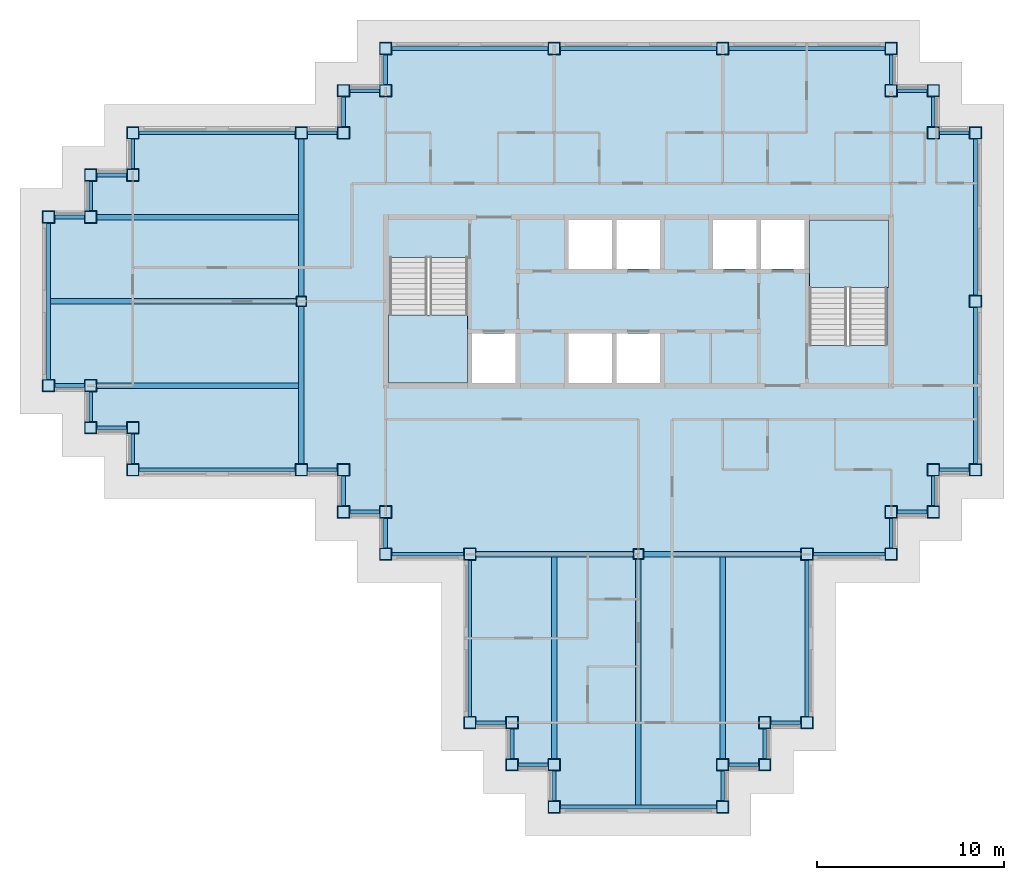
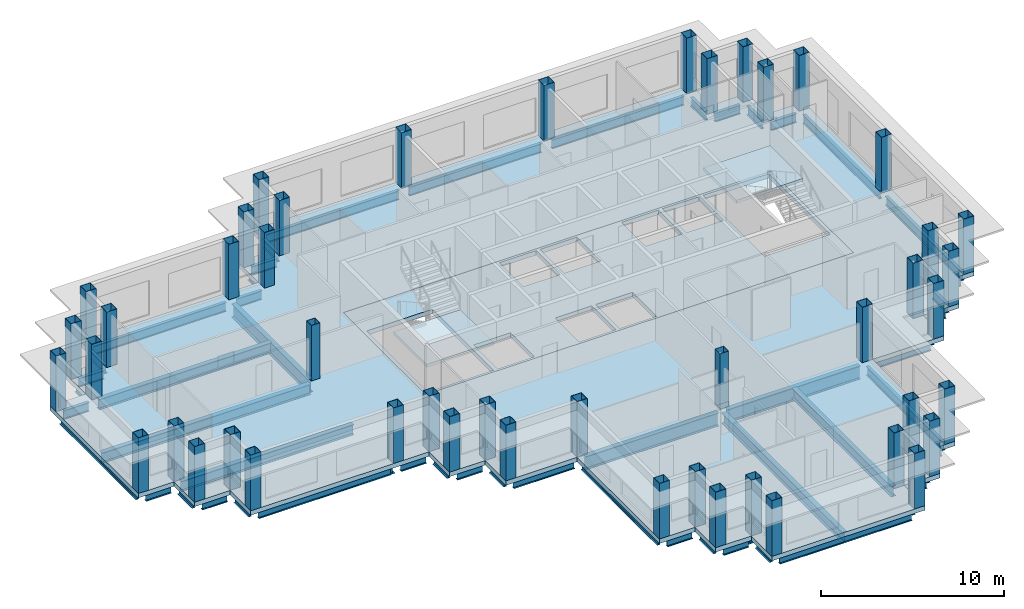
# One storey, part 1 of 11: 55 beams, 47 columns, 4 slabs, 2 elements without a shape of their own.
"""IFC4 building model written with IfcOpenShell, lengths in metres."""

from ifc_helpers import new_model, si_unit, direction, frame, origin, origin_2d, place, context, subcontext, project, spatial, polyline, hollow_rectangle, i_section, outline, extrude, material, layer, layer_set, material_profile, profile_set, type_object, element, aggregate, save


model = new_model("IFC4")

# Units and contexts
model_context = context("Model", 3, precision=1e-05, world=origin(), true_north=direction((0.0, 1.0)))
body_context = subcontext(model_context, "Body", "Model", "MODEL_VIEW")
ifc_project = project(units=[si_unit("LENGTHUNIT", "METRE"), si_unit("AREAUNIT", "SQUARE_METRE"), si_unit("VOLUMEUNIT", "CUBIC_METRE"), si_unit("PLANEANGLEUNIT", "RADIAN"), si_unit("MASSUNIT", "GRAM", prefix="KILO")], contexts=[model_context])

# Site, building, storey
site_placement = place(None, origin())
site = spatial("IfcSite", under=ifc_project, at=site_placement, CompositionType="ELEMENT")
building_placement = place(site_placement, origin())
building = spatial("IfcBuilding", under=site, at=building_placement, Name="Caravel Reach Hotel and Residences", CompositionType="ELEMENT")
storey_placement = place(building_placement, frame((0.0, 0.0, 225.699951171875)))
storey = spatial("IfcBuildingStorey", under=building, at=storey_placement, Name="L57", CompositionType="ELEMENT", Elevation=225.699951171875)

# Columns
ifc_material_1 = material(Name="Concrete-filled steel tube Q390B with Concrete C60 infill", Category="concrete")
ifc_material_profile_1 = material_profile(ifc_material_1, hollow_rectangle(XDim=0.550048828125, YDim=0.550048828125, WallThickness=0.01806640625, at=origin_2d()), Name="RHS 550x550x18")
ifc_profile_set_1 = profile_set([ifc_material_profile_1], Name="Concrete-filled steel tube Q390B with Concrete C60 infill")
column_type_1 = type_object("IfcColumnType", Name="CFT 550x550 Q390B C60", PredefinedType="COLUMN", material=ifc_profile_set_1)
for number, where, z_axis, x_axis, name in (
    (1, (31.5, 13.5, 0.0), (0.0, 0.0, 1.0), (1.0, 0.0, 0.0), "C18 column"),
    (2, (13.5, 27.0, 0.0), (0.0, 0.0, 1.0), (1.0, 0.0, 0.0), "C18 column"),
):
    element("IfcColumn", number, at=place(storey_placement, frame(where, z_axis=z_axis, x_axis=x_axis)), inside=storey, type_object=column_type_1, Name=name, PredefinedType="COLUMN", context=body_context, shape_type="SweptSolid", body=[
        extrude(hollow_rectangle(XDim=0.550048828125, YDim=0.550048828125, WallThickness=0.01806640625, at=origin_2d()), origin(), (0.0, 0.0, 1.0), 3.699951171875),
    ])
ifc_material_2 = material(Name="Concrete-filled steel tube Q390B with Concrete C60 infill", Category="concrete")
ifc_material_profile_2 = material_profile(ifc_material_2, hollow_rectangle(XDim=0.64990234375, YDim=0.64990234375, WallThickness=0.02099609375, at=origin_2d()), Name="RHS 650x650x21")
ifc_profile_set_2 = profile_set([ifc_material_profile_2], Name="Concrete-filled steel tube Q390B with Concrete C60 infill")
column_type_2 = type_object("IfcColumnType", Name="CFT 650x650 Q390B C60", PredefinedType="COLUMN", material=ifc_profile_set_2)
for number, where, z_axis, x_axis, name in (
    (3, (40.5, 13.5, 0.0), (0.0, 0.0, 1.0), (1.0, 0.0, 0.0), "C15 column"),
    (4, (45.0, 13.5, 0.0), (0.0, 0.0, 1.0), (1.0, 0.0, 0.0), "C15 column"),
    (5, (45.0, 15.75, 0.0), (0.0, 0.0, 1.0), (1.0, 0.0, 0.0), "C15 column"),
    (6, (47.25, 15.75, 0.0), (0.0, 0.0, 1.0), (1.0, 0.0, 0.0), "C15 column"),
    (7, (47.25, 18.0, 0.0), (0.0, 0.0, 1.0), (1.0, 0.0, 0.0), "C15 column"),
    (8, (49.5, 18.0, 0.0), (0.0, 0.0, 1.0), (1.0, 0.0, 0.0), "C15 column"),
    (9, (49.5, 27.0, 0.0), (0.0, 0.0, 1.0), (1.0, 0.0, 0.0), "C15 column"),
    (10, (49.5, 36.0, 0.0), (0.0, 0.0, 1.0), (1.0, 0.0, 0.0), "C15 column"),
    (11, (47.25, 36.0, 0.0), (0.0, 0.0, 1.0), (1.0, 0.0, 0.0), "C15 column"),
    (12, (47.25, 38.25, 0.0), (0.0, 0.0, 1.0), (1.0, 0.0, 0.0), "C15 column"),
    (13, (45.0, 38.25, 0.0), (0.0, 0.0, 1.0), (1.0, 0.0, 0.0), "C15 column"),
    (14, (45.0, 40.5, 0.0), (0.0, 0.0, 1.0), (1.0, 0.0, 0.0), "C15 column"),
    (15, (36.0, 40.5, 0.0), (0.0, 0.0, 1.0), (1.0, 0.0, 0.0), "C15 column"),
    (16, (27.0, 40.5, 0.0), (0.0, 0.0, 1.0), (1.0, 0.0, 0.0), "C15 column"),
    (17, (18.0, 40.5, 0.0), (0.0, 0.0, 1.0), (1.0, 0.0, 0.0), "C15 column"),
    (18, (18.0, 38.25, 0.0), (0.0, 0.0, 1.0), (1.0, 0.0, 0.0), "C15 column"),
    (19, (15.75, 38.25, 0.0), (0.0, 0.0, 1.0), (1.0, 0.0, 0.0), "C15 column"),
    (20, (15.75, 36.0, 0.0), (0.0, 0.0, 1.0), (1.0, 0.0, 0.0), "C15 column"),
    (21, (13.5, 36.0, 0.0), (0.0, 0.0, 1.0), (1.0, 0.0, 0.0), "C15 column"),
    (22, (4.5, 36.0, 0.0), (0.0, 0.0, 1.0), (1.0, 0.0, 0.0), "C15 column"),
    (23, (4.5, 33.75, 0.0), (0.0, 0.0, 1.0), (1.0, 0.0, 0.0), "C15 column"),
    (24, (2.25, 33.75, 0.0), (0.0, 0.0, 1.0), (1.0, 0.0, 0.0), "C15 column"),
    (25, (2.25, 31.5, 0.0), (0.0, 0.0, 1.0), (1.0, 0.0, 0.0), "C15 column"),
    (26, (0.0, 31.5, 0.0), (0.0, 0.0, 1.0), (1.0, 0.0, 0.0), "C15 column"),
    (27, (0.0, 22.5, 0.0), (0.0, 0.0, 1.0), (1.0, 0.0, 0.0), "C15 column"),
    (28, (2.25, 22.5, 0.0), (0.0, 0.0, 1.0), (1.0, 0.0, 0.0), "C15 column"),
    (29, (2.25, 20.25, 0.0), (0.0, 0.0, 1.0), (1.0, 0.0, 0.0), "C15 column"),
    (30, (4.5, 20.25, 0.0), (0.0, 0.0, 1.0), (1.0, 0.0, 0.0), "C15 column"),
    (31, (4.5, 18.0, 0.0), (0.0, 0.0, 1.0), (1.0, 0.0, 0.0), "C15 column"),
    (32, (13.5, 18.0, 0.0), (0.0, 0.0, 1.0), (1.0, 0.0, 0.0), "C15 column"),
    (33, (15.75, 18.0, 0.0), (0.0, 0.0, 1.0), (1.0, 0.0, 0.0), "C15 column"),
    (34, (15.75, 15.75, 0.0), (0.0, 0.0, 1.0), (1.0, 0.0, 0.0), "C15 column"),
    (35, (18.0, 15.75, 0.0), (0.0, 0.0, 1.0), (1.0, 0.0, 0.0), "C15 column"),
    (36, (18.0, 13.5, 0.0), (0.0, 0.0, 1.0), (1.0, 0.0, 0.0), "C15 column"),
    (37, (22.5, 13.5, 0.0), (0.0, 0.0, 1.0), (1.0, 0.0, 0.0), "C15 column"),
    (38, (22.5, 4.5, 0.0), (0.0, 0.0, 1.0), (1.0, 0.0, 0.0), "C15 column"),
    (39, (24.75, 4.5, 0.0), (0.0, 0.0, 1.0), (1.0, 0.0, 0.0), "C15 column"),
    (40, (24.75, 2.25, 0.0), (0.0, 0.0, 1.0), (1.0, 0.0, 0.0), "C15 column"),
    (41, (27.0, 2.25, 0.0), (0.0, 0.0, 1.0), (1.0, 0.0, 0.0), "C15 column"),
    (42, (27.0, 0.0, 0.0), (0.0, 0.0, 1.0), (1.0, 0.0, 0.0), "C15 column"),
    (43, (36.0, 0.0, 0.0), (0.0, 0.0, 1.0), (1.0, 0.0, 0.0), "C15 column"),
    (44, (36.0, 2.25, 0.0), (0.0, 0.0, 1.0), (1.0, 0.0, 0.0), "C15 column"),
    (45, (38.25, 2.25, 0.0), (0.0, 0.0, 1.0), (1.0, 0.0, 0.0), "C15 column"),
    (46, (38.25, 4.5, 0.0), (0.0, 0.0, 1.0), (1.0, 0.0, 0.0), "C15 column"),
    (47, (40.5, 4.5, 0.0), (0.0, 0.0, 1.0), (1.0, 0.0, 0.0), "C15 column"),
):
    element("IfcColumn", number, at=place(storey_placement, frame(where, z_axis=z_axis, x_axis=x_axis)), inside=storey, type_object=column_type_2, Name=name, PredefinedType="COLUMN", context=body_context, shape_type="SweptSolid", body=[
        extrude(hollow_rectangle(XDim=0.64990234375, YDim=0.64990234375, WallThickness=0.02099609375, at=origin_2d()), origin(), (0.0, 0.0, 1.0), 3.699951171875),
    ])

# Beams
ifc_material_3 = material(Name="Structural steel Q355B", Category="steel")
ifc_material_profile_3 = material_profile(ifc_material_3, i_section(OverallWidth=0.300048828125, OverallDepth=0.699951171875, WebThickness=0.012939453125, FlangeThickness=0.02392578125, FilletRadius=0.01806640625, at=origin_2d()), Name="HN 700x300x13x24")
ifc_profile_set_3 = profile_set([ifc_material_profile_3], Name="Structural steel Q355B")
beam_type_1 = type_object("IfcBeamType", Name="Beam HN 700x300x13x24", PredefinedType="BEAM", material=ifc_profile_set_3)
beam_1_placement = place(storey_placement, frame((27.0, 13.39990234375, -0.64990234375), z_axis=(0.0, -1.0, 0.0), x_axis=(1.0, 0.0, 0.0)))
element("IfcBeam", 48, at=beam_1_placement, inside=storey, type_object=beam_type_1, Name="B2 HN 700x300x13x24", PredefinedType="BEAM", context=body_context, shape_type="SweptSolid", body=[
    extrude(i_section(OverallWidth=0.300048828125, OverallDepth=0.699951171875, WebThickness=0.012939453125, FlangeThickness=0.02392578125, FilletRadius=0.01806640625, at=origin_2d()), origin(), (0.0, 0.0, 1.0), 10.875),
])
beam_2_placement = place(storey_placement, frame((31.5, 13.27490234375, -0.64990234375), z_axis=(0.0, -1.0, 0.0), x_axis=(1.0, 0.0, 0.0)))
element("IfcBeam", 49, at=beam_2_placement, inside=storey, type_object=beam_type_1, Name="B2 HN 700x300x13x24", PredefinedType="BEAM", context=body_context, shape_type="SweptSolid", body=[
    extrude(i_section(OverallWidth=0.300048828125, OverallDepth=0.699951171875, WebThickness=0.012939453125, FlangeThickness=0.02392578125, FilletRadius=0.01806640625, at=origin_2d()), origin(), (0.0, 0.0, 1.0), 13.1748046875),
])
for number, where, z_axis, x_axis, name in (
    (50, (36.0, 13.39990234375, -0.64990234375), (0.0, -1.0, 0.0), (1.0, 0.0, 0.0), "B2 HN 700x300x13x24"),
    (51, (13.39990234375, 22.5, -0.64990234375), (-1.0, 0.0, 0.0), (0.0, -1.0, 0.0), "B2 HN 700x300x13x24"),
):
    element("IfcBeam", number, at=place(storey_placement, frame(where, z_axis=z_axis, x_axis=x_axis)), inside=storey, type_object=beam_type_1, Name=name, PredefinedType="BEAM", context=body_context, shape_type="SweptSolid", body=[
        extrude(i_section(OverallWidth=0.300048828125, OverallDepth=0.699951171875, WebThickness=0.012939453125, FlangeThickness=0.02392578125, FilletRadius=0.01806640625, at=origin_2d()), origin(), (0.0, 0.0, 1.0), 10.875),
    ])
beam_3_placement = place(storey_placement, frame((13.27490234375, 27.0, -0.64990234375), z_axis=(-1.0, 0.0, 0.0), x_axis=(0.0, -1.0, 0.0)))
element("IfcBeam", 52, at=beam_3_placement, inside=storey, type_object=beam_type_1, Name="B2 HN 700x300x13x24", PredefinedType="BEAM", context=body_context, shape_type="SweptSolid", body=[
    extrude(i_section(OverallWidth=0.300048828125, OverallDepth=0.699951171875, WebThickness=0.012939453125, FlangeThickness=0.02392578125, FilletRadius=0.01806640625, at=origin_2d()), origin(), (0.0, 0.0, 1.0), 13.1748046875),
])
beam_4_placement = place(storey_placement, frame((13.39990234375, 31.5, -0.64990234375), z_axis=(-1.0, 0.0, 0.0), x_axis=(0.0, -1.0, 0.0)))
element("IfcBeam", 53, at=beam_4_placement, inside=storey, type_object=beam_type_1, Name="B2 HN 700x300x13x24", PredefinedType="BEAM", context=body_context, shape_type="SweptSolid", body=[
    extrude(i_section(OverallWidth=0.300048828125, OverallDepth=0.699951171875, WebThickness=0.012939453125, FlangeThickness=0.02392578125, FilletRadius=0.01806640625, at=origin_2d()), origin(), (0.0, 0.0, 1.0), 10.875),
])
ifc_material_4 = material(Name="Structural steel Q355B", Category="steel")
ifc_material_profile_4 = material_profile(ifc_material_4, i_section(OverallWidth=0.300048828125, OverallDepth=0.89990234375, WebThickness=0.01611328125, FlangeThickness=0.028076171875, FilletRadius=0.01806640625, at=origin_2d()), Name="HN 900x300x16x28")
ifc_profile_set_4 = profile_set([ifc_material_profile_4], Name="Structural steel Q355B")
beam_type_2 = type_object("IfcBeamType", Name="Beam HN 900x300x16x28", PredefinedType="BEAM", material=ifc_profile_set_4)
for number, where, z_axis, x_axis, name in (
    (54, (22.824951171875, 13.5, -0.75), (1.0, 0.0, 0.0), (0.0, 1.0, 0.0), "B3 HN 900x300x16x28"),
    (55, (31.77490234375, 13.5, -0.75), (1.0, 0.0, 0.0), (0.0, 1.0, 0.0), "B3 HN 900x300x16x28"),
    (56, (13.5, 18.324951171875, -0.75), (0.0, 1.0, 0.0), (-1.0, 0.0, 0.0), "B3 HN 900x300x16x28"),
    (57, (13.5, 27.27490234375, -0.75), (0.0, 1.0, 0.0), (-1.0, 0.0, 0.0), "B3 HN 900x300x16x28"),
):
    element("IfcBeam", number, at=place(storey_placement, frame(where, z_axis=z_axis, x_axis=x_axis)), inside=storey, type_object=beam_type_2, Name=name, PredefinedType="BEAM", context=body_context, shape_type="SweptSolid", body=[
        extrude(i_section(OverallWidth=0.300048828125, OverallDepth=0.89990234375, WebThickness=0.01611328125, FlangeThickness=0.028076171875, FilletRadius=0.01806640625, at=origin_2d()), origin(), (0.0, 0.0, 1.0), 8.400146484375),
    ])
ifc_material_5 = material(Name="Structural steel Q355B", Category="steel")
ifc_material_profile_5 = material_profile(ifc_material_5, i_section(OverallWidth=0.199951171875, OverallDepth=0.60009765625, WebThickness=0.010986328125, FlangeThickness=0.01708984375, FilletRadius=0.012939453125, at=origin_2d()), Name="HN 600x200x11x17")
ifc_profile_set_5 = profile_set([ifc_material_profile_5], Name="Structural steel Q355B")
beam_type_3 = type_object("IfcBeamType", Name="Spandrel beam HN 600x200x11x17", PredefinedType="SPANDREL", material=ifc_profile_set_5)
beam_5_placement = place(storey_placement, frame((40.824951171875, 13.5, -0.599853515625), z_axis=(1.0, 0.0, 0.0), x_axis=(0.0, 1.0, 0.0)))
element("IfcBeam", 58, at=beam_5_placement, inside=storey, type_object=beam_type_3, Name="SP1 HN 600x200x11x17", PredefinedType="SPANDREL", context=body_context, shape_type="SweptSolid", body=[
    extrude(i_section(OverallWidth=0.199951171875, OverallDepth=0.60009765625, WebThickness=0.010986328125, FlangeThickness=0.01708984375, FilletRadius=0.012939453125, at=origin_2d()), origin(), (0.0, 0.0, 1.0), 3.85009765625),
])
for number, where, z_axis, x_axis, name in (
    (59, (45.0, 13.824951171875, -0.599853515625), (0.0, 1.0, 0.0), (-1.0, 0.0, 0.0), "SP1 HN 600x200x11x17"),
    (60, (45.324951171875, 15.75, -0.599853515625), (1.0, 0.0, 0.0), (0.0, 1.0, 0.0), "SP1 HN 600x200x11x17"),
    (61, (47.25, 16.074951171875, -0.599853515625), (0.0, 1.0, 0.0), (-1.0, 0.0, 0.0), "SP1 HN 600x200x11x17"),
    (62, (47.574951171875, 18.0, -0.599853515625), (1.0, 0.0, 0.0), (0.0, 1.0, 0.0), "SP1 HN 600x200x11x17"),
):
    element("IfcBeam", number, at=place(storey_placement, frame(where, z_axis=z_axis, x_axis=x_axis)), inside=storey, type_object=beam_type_3, Name=name, PredefinedType="SPANDREL", context=body_context, shape_type="SweptSolid", body=[
        extrude(i_section(OverallWidth=0.199951171875, OverallDepth=0.60009765625, WebThickness=0.010986328125, FlangeThickness=0.01708984375, FilletRadius=0.012939453125, at=origin_2d()), origin(), (0.0, 0.0, 1.0), 1.60009765625),
    ])
for number, where, z_axis, x_axis, name in (
    (63, (49.5, 18.324951171875, -0.599853515625), (0.0, 1.0, 0.0), (-1.0, 0.0, 0.0), "SP1 HN 600x200x11x17"),
    (64, (49.5, 27.324951171875, -0.599853515625), (0.0, 1.0, 0.0), (-1.0, 0.0, 0.0), "SP1 HN 600x200x11x17"),
):
    element("IfcBeam", number, at=place(storey_placement, frame(where, z_axis=z_axis, x_axis=x_axis)), inside=storey, type_object=beam_type_3, Name=name, PredefinedType="SPANDREL", context=body_context, shape_type="SweptSolid", body=[
        extrude(i_section(OverallWidth=0.199951171875, OverallDepth=0.60009765625, WebThickness=0.010986328125, FlangeThickness=0.01708984375, FilletRadius=0.012939453125, at=origin_2d()), origin(), (0.0, 0.0, 1.0), 8.35009765625),
    ])
for number, where, z_axis, x_axis, name in (
    (65, (49.175048828125, 36.0, -0.599853515625), (-1.0, 0.0, 0.0), (0.0, -1.0, 0.0), "SP1 HN 600x200x11x17"),
    (66, (47.25, 36.324951171875, -0.599853515625), (0.0, 1.0, 0.0), (-1.0, 0.0, 0.0), "SP1 HN 600x200x11x17"),
    (67, (46.925048828125, 38.25, -0.599853515625), (-1.0, 0.0, 0.0), (0.0, -1.0, 0.0), "SP1 HN 600x200x11x17"),
    (68, (45.0, 38.574951171875, -0.599853515625), (0.0, 1.0, 0.0), (-1.0, 0.0, 0.0), "SP1 HN 600x200x11x17"),
):
    element("IfcBeam", number, at=place(storey_placement, frame(where, z_axis=z_axis, x_axis=x_axis)), inside=storey, type_object=beam_type_3, Name=name, PredefinedType="SPANDREL", context=body_context, shape_type="SweptSolid", body=[
        extrude(i_section(OverallWidth=0.199951171875, OverallDepth=0.60009765625, WebThickness=0.010986328125, FlangeThickness=0.01708984375, FilletRadius=0.012939453125, at=origin_2d()), origin(), (0.0, 0.0, 1.0), 1.60009765625),
    ])
for number, where, z_axis, x_axis, name in (
    (69, (44.675048828125, 40.5, -0.599853515625), (-1.0, 0.0, 0.0), (0.0, -1.0, 0.0), "SP1 HN 600x200x11x17"),
    (70, (35.675048828125, 40.5, -0.599853515625), (-1.0, 0.0, 0.0), (0.0, -1.0, 0.0), "SP1 HN 600x200x11x17"),
    (71, (26.675048828125, 40.5, -0.599853515625), (-1.0, 0.0, 0.0), (0.0, -1.0, 0.0), "SP1 HN 600x200x11x17"),
):
    element("IfcBeam", number, at=place(storey_placement, frame(where, z_axis=z_axis, x_axis=x_axis)), inside=storey, type_object=beam_type_3, Name=name, PredefinedType="SPANDREL", context=body_context, shape_type="SweptSolid", body=[
        extrude(i_section(OverallWidth=0.199951171875, OverallDepth=0.60009765625, WebThickness=0.010986328125, FlangeThickness=0.01708984375, FilletRadius=0.012939453125, at=origin_2d()), origin(), (0.0, 0.0, 1.0), 8.35009765625),
    ])
for number, where, z_axis, x_axis, name in (
    (72, (18.0, 40.175048828125, -0.599853515625), (0.0, -1.0, 0.0), (1.0, 0.0, 0.0), "SP1 HN 600x200x11x17"),
    (73, (17.675048828125, 38.25, -0.599853515625), (-1.0, 0.0, 0.0), (0.0, -1.0, 0.0), "SP1 HN 600x200x11x17"),
    (74, (15.75, 37.925048828125, -0.599853515625), (0.0, -1.0, 0.0), (1.0, 0.0, 0.0), "SP1 HN 600x200x11x17"),
    (75, (15.425048828125, 36.0, -0.599853515625), (-1.0, 0.0, 0.0), (0.0, -1.0, 0.0), "SP1 HN 600x200x11x17"),
):
    element("IfcBeam", number, at=place(storey_placement, frame(where, z_axis=z_axis, x_axis=x_axis)), inside=storey, type_object=beam_type_3, Name=name, PredefinedType="SPANDREL", context=body_context, shape_type="SweptSolid", body=[
        extrude(i_section(OverallWidth=0.199951171875, OverallDepth=0.60009765625, WebThickness=0.010986328125, FlangeThickness=0.01708984375, FilletRadius=0.012939453125, at=origin_2d()), origin(), (0.0, 0.0, 1.0), 1.60009765625),
    ])
beam_6_placement = place(storey_placement, frame((13.175048828125, 36.0, -0.599853515625), z_axis=(-1.0, 0.0, 0.0), x_axis=(0.0, -1.0, 0.0)))
element("IfcBeam", 76, at=beam_6_placement, inside=storey, type_object=beam_type_3, Name="SP1 HN 600x200x11x17", PredefinedType="SPANDREL", context=body_context, shape_type="SweptSolid", body=[
    extrude(i_section(OverallWidth=0.199951171875, OverallDepth=0.60009765625, WebThickness=0.010986328125, FlangeThickness=0.01708984375, FilletRadius=0.012939453125, at=origin_2d()), origin(), (0.0, 0.0, 1.0), 8.35009765625),
])
for number, where, z_axis, x_axis, name in (
    (77, (4.5, 35.675048828125, -0.599853515625), (0.0, -1.0, 0.0), (1.0, 0.0, 0.0), "SP1 HN 600x200x11x17"),
    (78, (4.175048828125, 33.75, -0.599853515625), (-1.0, 0.0, 0.0), (0.0, -1.0, 0.0), "SP1 HN 600x200x11x17"),
    (79, (2.25, 33.425048828125, -0.599853515625), (0.0, -1.0, 0.0), (1.0, 0.0, 0.0), "SP1 HN 600x200x11x17"),
    (80, (1.925048828125, 31.5, -0.599853515625), (-1.0, 0.0, 0.0), (0.0, -1.0, 0.0), "SP1 HN 600x200x11x17"),
):
    element("IfcBeam", number, at=place(storey_placement, frame(where, z_axis=z_axis, x_axis=x_axis)), inside=storey, type_object=beam_type_3, Name=name, PredefinedType="SPANDREL", context=body_context, shape_type="SweptSolid", body=[
        extrude(i_section(OverallWidth=0.199951171875, OverallDepth=0.60009765625, WebThickness=0.010986328125, FlangeThickness=0.01708984375, FilletRadius=0.012939453125, at=origin_2d()), origin(), (0.0, 0.0, 1.0), 1.60009765625),
    ])
beam_7_placement = place(storey_placement, frame((0.0, 31.175048828125, -0.599853515625), z_axis=(0.0, -1.0, 0.0), x_axis=(1.0, 0.0, 0.0)))
element("IfcBeam", 81, at=beam_7_placement, inside=storey, type_object=beam_type_3, Name="SP1 HN 600x200x11x17", PredefinedType="SPANDREL", context=body_context, shape_type="SweptSolid", body=[
    extrude(i_section(OverallWidth=0.199951171875, OverallDepth=0.60009765625, WebThickness=0.010986328125, FlangeThickness=0.01708984375, FilletRadius=0.012939453125, at=origin_2d()), origin(), (0.0, 0.0, 1.0), 8.35009765625),
])
for number, where, z_axis, x_axis, name in (
    (82, (0.324951171875, 22.5, -0.599853515625), (1.0, 0.0, 0.0), (0.0, 1.0, 0.0), "SP1 HN 600x200x11x17"),
    (83, (2.25, 22.175048828125, -0.599853515625), (0.0, -1.0, 0.0), (1.0, 0.0, 0.0), "SP1 HN 600x200x11x17"),
    (84, (2.574951171875, 20.25, -0.599853515625), (1.0, 0.0, 0.0), (0.0, 1.0, 0.0), "SP1 HN 600x200x11x17"),
    (85, (4.5, 19.925048828125, -0.599853515625), (0.0, -1.0, 0.0), (1.0, 0.0, 0.0), "SP1 HN 600x200x11x17"),
):
    element("IfcBeam", number, at=place(storey_placement, frame(where, z_axis=z_axis, x_axis=x_axis)), inside=storey, type_object=beam_type_3, Name=name, PredefinedType="SPANDREL", context=body_context, shape_type="SweptSolid", body=[
        extrude(i_section(OverallWidth=0.199951171875, OverallDepth=0.60009765625, WebThickness=0.010986328125, FlangeThickness=0.01708984375, FilletRadius=0.012939453125, at=origin_2d()), origin(), (0.0, 0.0, 1.0), 1.60009765625),
    ])
beam_8_placement = place(storey_placement, frame((4.824951171875, 18.0, -0.599853515625), z_axis=(1.0, 0.0, 0.0), x_axis=(0.0, 1.0, 0.0)))
element("IfcBeam", 86, at=beam_8_placement, inside=storey, type_object=beam_type_3, Name="SP1 HN 600x200x11x17", PredefinedType="SPANDREL", context=body_context, shape_type="SweptSolid", body=[
    extrude(i_section(OverallWidth=0.199951171875, OverallDepth=0.60009765625, WebThickness=0.010986328125, FlangeThickness=0.01708984375, FilletRadius=0.012939453125, at=origin_2d()), origin(), (0.0, 0.0, 1.0), 8.35009765625),
])
for number, where, z_axis, x_axis, name in (
    (87, (13.824951171875, 18.0, -0.599853515625), (1.0, 0.0, 0.0), (0.0, 1.0, 0.0), "SP1 HN 600x200x11x17"),
    (88, (15.75, 17.675048828125, -0.599853515625), (0.0, -1.0, 0.0), (1.0, 0.0, 0.0), "SP1 HN 600x200x11x17"),
    (89, (16.074951171875, 15.75, -0.599853515625), (1.0, 0.0, 0.0), (0.0, 1.0, 0.0), "SP1 HN 600x200x11x17"),
    (90, (18.0, 15.425048828125, -0.599853515625), (0.0, -1.0, 0.0), (1.0, 0.0, 0.0), "SP1 HN 600x200x11x17"),
):
    element("IfcBeam", number, at=place(storey_placement, frame(where, z_axis=z_axis, x_axis=x_axis)), inside=storey, type_object=beam_type_3, Name=name, PredefinedType="SPANDREL", context=body_context, shape_type="SweptSolid", body=[
        extrude(i_section(OverallWidth=0.199951171875, OverallDepth=0.60009765625, WebThickness=0.010986328125, FlangeThickness=0.01708984375, FilletRadius=0.012939453125, at=origin_2d()), origin(), (0.0, 0.0, 1.0), 1.60009765625),
    ])
beam_9_placement = place(storey_placement, frame((18.324951171875, 13.5, -0.599853515625), z_axis=(1.0, 0.0, 0.0), x_axis=(0.0, 1.0, 0.0)))
element("IfcBeam", 91, at=beam_9_placement, inside=storey, type_object=beam_type_3, Name="SP1 HN 600x200x11x17", PredefinedType="SPANDREL", context=body_context, shape_type="SweptSolid", body=[
    extrude(i_section(OverallWidth=0.199951171875, OverallDepth=0.60009765625, WebThickness=0.010986328125, FlangeThickness=0.01708984375, FilletRadius=0.012939453125, at=origin_2d()), origin(), (0.0, 0.0, 1.0), 3.85009765625),
])
beam_10_placement = place(storey_placement, frame((22.5, 13.175048828125, -0.599853515625), z_axis=(0.0, -1.0, 0.0), x_axis=(1.0, 0.0, 0.0)))
element("IfcBeam", 92, at=beam_10_placement, inside=storey, type_object=beam_type_3, Name="SP1 HN 600x200x11x17", PredefinedType="SPANDREL", context=body_context, shape_type="SweptSolid", body=[
    extrude(i_section(OverallWidth=0.199951171875, OverallDepth=0.60009765625, WebThickness=0.010986328125, FlangeThickness=0.01708984375, FilletRadius=0.012939453125, at=origin_2d()), origin(), (0.0, 0.0, 1.0), 8.35009765625),
])
for number, where, z_axis, x_axis, name in (
    (93, (22.824951171875, 4.5, -0.599853515625), (1.0, 0.0, 0.0), (0.0, 1.0, 0.0), "SP1 HN 600x200x11x17"),
    (94, (24.75, 4.175048828125, -0.599853515625), (0.0, -1.0, 0.0), (1.0, 0.0, 0.0), "SP1 HN 600x200x11x17"),
    (95, (25.074951171875, 2.25, -0.599853515625), (1.0, 0.0, 0.0), (0.0, 1.0, 0.0), "SP1 HN 600x200x11x17"),
    (96, (27.0, 1.925048828125, -0.599853515625), (0.0, -1.0, 0.0), (1.0, 0.0, 0.0), "SP1 HN 600x200x11x17"),
):
    element("IfcBeam", number, at=place(storey_placement, frame(where, z_axis=z_axis, x_axis=x_axis)), inside=storey, type_object=beam_type_3, Name=name, PredefinedType="SPANDREL", context=body_context, shape_type="SweptSolid", body=[
        extrude(i_section(OverallWidth=0.199951171875, OverallDepth=0.60009765625, WebThickness=0.010986328125, FlangeThickness=0.01708984375, FilletRadius=0.012939453125, at=origin_2d()), origin(), (0.0, 0.0, 1.0), 1.60009765625),
    ])
beam_11_placement = place(storey_placement, frame((27.324951171875, 0.0, -0.599853515625), z_axis=(1.0, 0.0, 0.0), x_axis=(0.0, 1.0, 0.0)))
element("IfcBeam", 97, at=beam_11_placement, inside=storey, type_object=beam_type_3, Name="SP1 HN 600x200x11x17", PredefinedType="SPANDREL", context=body_context, shape_type="SweptSolid", body=[
    extrude(i_section(OverallWidth=0.199951171875, OverallDepth=0.60009765625, WebThickness=0.010986328125, FlangeThickness=0.01708984375, FilletRadius=0.012939453125, at=origin_2d()), origin(), (0.0, 0.0, 1.0), 8.35009765625),
])
for number, where, z_axis, x_axis, name in (
    (98, (36.0, 0.324951171875, -0.599853515625), (0.0, 1.0, 0.0), (-1.0, 0.0, 0.0), "SP1 HN 600x200x11x17"),
    (99, (36.324951171875, 2.25, -0.599853515625), (1.0, 0.0, 0.0), (0.0, 1.0, 0.0), "SP1 HN 600x200x11x17"),
    (100, (38.25, 2.574951171875, -0.599853515625), (0.0, 1.0, 0.0), (-1.0, 0.0, 0.0), "SP1 HN 600x200x11x17"),
    (101, (38.574951171875, 4.5, -0.599853515625), (1.0, 0.0, 0.0), (0.0, 1.0, 0.0), "SP1 HN 600x200x11x17"),
):
    element("IfcBeam", number, at=place(storey_placement, frame(where, z_axis=z_axis, x_axis=x_axis)), inside=storey, type_object=beam_type_3, Name=name, PredefinedType="SPANDREL", context=body_context, shape_type="SweptSolid", body=[
        extrude(i_section(OverallWidth=0.199951171875, OverallDepth=0.60009765625, WebThickness=0.010986328125, FlangeThickness=0.01708984375, FilletRadius=0.012939453125, at=origin_2d()), origin(), (0.0, 0.0, 1.0), 1.60009765625),
    ])
beam_12_placement = place(storey_placement, frame((40.5, 4.824951171875, -0.599853515625), z_axis=(0.0, 1.0, 0.0), x_axis=(-1.0, 0.0, 0.0)))
element("IfcBeam", 102, at=beam_12_placement, inside=storey, type_object=beam_type_3, Name="SP1 HN 600x200x11x17", PredefinedType="SPANDREL", context=body_context, shape_type="SweptSolid", body=[
    extrude(i_section(OverallWidth=0.199951171875, OverallDepth=0.60009765625, WebThickness=0.010986328125, FlangeThickness=0.01708984375, FilletRadius=0.012939453125, at=origin_2d()), origin(), (0.0, 0.0, 1.0), 8.35009765625),
])

# Slab
ifc_material_6 = material(Name="Concrete C40", Category="concrete")
ifc_layer_1 = layer(ifc_material_6, 0.300048828125)
ifc_layer_set_1 = layer_set([ifc_layer_1], Name="Core floor slab 300 mm")
slab_type_1 = type_object("IfcSlabType", Name="Core floor slab 300 mm", PredefinedType="FLOOR", material=ifc_layer_set_1)
slab_1_placement = place(storey_placement, frame((0.0, 0.0, -0.300048828125)))
element("IfcSlab", 103, at=slab_1_placement, inside=storey, type_object=slab_type_1, Name="L57 core floor", PredefinedType="FLOOR", context=body_context, shape_type="SweptSolid", body=[
    extrude(outline(polyline([(18.0, 31.5), (45.0, 31.5), (45.0, 22.5), (18.0, 22.5), (18.0, 31.5)]), holes=[polyline([(22.625, 25.27490234375), (22.625, 22.64990234375), (24.9462890625, 22.64990234375), (24.9462890625, 25.27490234375), (22.625, 25.27490234375)]), polyline([(27.767822265625, 25.27490234375), (27.767822265625, 22.64990234375), (30.08935546875, 22.64990234375), (30.08935546875, 25.27490234375), (27.767822265625, 25.27490234375)]), polyline([(30.33935546875, 25.27490234375), (30.33935546875, 22.64990234375), (32.66064453125, 22.64990234375), (32.66064453125, 25.27490234375), (30.33935546875, 25.27490234375)]), polyline([(22.375, 22.64990234375), (22.375, 29.35009765625), (18.22509765625, 29.35009765625), (18.22509765625, 22.64990234375), (22.375, 22.64990234375)]), polyline([(40.625, 31.35009765625), (40.625, 24.64990234375), (44.77490234375, 24.64990234375), (44.77490234375, 31.35009765625), (40.625, 31.35009765625)]), polyline([(27.767822265625, 31.35009765625), (27.767822265625, 28.72509765625), (30.08935546875, 28.72509765625), (30.08935546875, 31.35009765625), (27.767822265625, 31.35009765625)]), polyline([(30.33935546875, 31.35009765625), (30.33935546875, 28.72509765625), (32.66064453125, 28.72509765625), (32.66064453125, 31.35009765625), (30.33935546875, 31.35009765625)]), polyline([(37.8037109375, 31.35009765625), (35.482177734375, 31.35009765625), (35.482177734375, 28.72509765625), (37.8037109375, 28.72509765625), (37.8037109375, 31.35009765625)]), polyline([(40.375, 31.35009765625), (38.0537109375, 31.35009765625), (38.0537109375, 28.72509765625), (40.375, 28.72509765625), (40.375, 31.35009765625)])]), origin(), (0.0, 0.0, 1.0), 0.300048828125),
])

# Stair, slab
ifc_material_7 = material(Name="Concrete C40", Category="concrete")
stair_type = type_object("IfcStairType", Name="Core stair", PredefinedType="HALF_TURN_STAIR", material=ifc_material_7)
stair_1_placement = place(storey_placement, origin())
stair_1 = element("IfcStair", 104, at=stair_1_placement, inside=storey, type_object=stair_type, Name="L57 Exit stair A", PredefinedType="HALF_TURN_STAIR")
ifc_material_8 = material(Name="Concrete C40", Category="concrete")
ifc_layer_2 = layer(ifc_material_8, 0.199951171875)
ifc_layer_set_2 = layer_set([ifc_layer_2], Name="Core stair landing")
slab_type_2 = type_object("IfcSlabType", Name="Core stair landing", PredefinedType="LANDING", material=ifc_layer_set_2)
slab_2_placement = place(storey_placement, frame((0.0, 0.0, 1.650146484375)))
slab_2 = element("IfcSlab", 105, at=slab_2_placement, type_object=slab_type_2, Name="ST-A landing 1", PredefinedType="LANDING", context=body_context, shape_type="SweptSolid", body=[
    extrude(outline(polyline([(18.14990234375, 26.27001953125), (18.14990234375, 22.64990234375), (22.375, 22.64990234375), (22.375, 26.27001953125), (18.14990234375, 26.27001953125)])), origin(), (0.0, 0.0, 1.0), 0.199951171875),
])
aggregate(stair_1, [slab_2])

stair_2_placement = place(storey_placement, origin())
stair_2 = element("IfcStair", 106, at=stair_2_placement, inside=storey, type_object=stair_type, Name="L57 Exit stair B", PredefinedType="HALF_TURN_STAIR")
slab_3_placement = place(storey_placement, frame((0.0, 0.0, 1.650146484375)))
slab_3 = element("IfcSlab", 107, at=slab_3_placement, type_object=slab_type_2, Name="ST-B landing 1", PredefinedType="LANDING", context=body_context, shape_type="SweptSolid", body=[
    extrude(outline(polyline([(44.85009765625, 27.72998046875), (44.85009765625, 31.35009765625), (40.625, 31.35009765625), (40.625, 27.72998046875), (44.85009765625, 27.72998046875)])), origin(), (0.0, 0.0, 1.0), 0.199951171875),
])
aggregate(stair_2, [slab_3])

# Slab
ifc_material_9 = material(Name="Concrete C40 post-tensioned", Category="concrete")
ifc_layer_3 = layer(ifc_material_9, 0.300048828125)
ifc_layer_set_3 = layer_set([ifc_layer_3], Name="Floor slab 300")
slab_type_3 = type_object("IfcSlabType", Name="Floor slab 300", PredefinedType="FLOOR", material=ifc_layer_set_3)
slab_4_placement = place(storey_placement, frame((0.0, 0.0, -0.300048828125)))
element("IfcSlab", 108, at=slab_4_placement, inside=storey, type_object=slab_type_3, Name="S2 slab L57", PredefinedType="FLOOR", context=body_context, shape_type="SweptSolid", body=[
    extrude(outline(polyline([(38.574951171875, 4.175048828125), (38.574951171875, 1.925048828125), (36.324951171875, 1.925048828125), (36.324951171875, -0.324951171875), (26.675048828125, -0.324951171875), (26.675048828125, 1.925048828125), (24.425048828125, 1.925048828125), (24.425048828125, 4.175048828125), (22.175048828125, 4.175048828125), (22.175048828125, 13.175048828125), (17.675048828125, 13.175048828125), (17.675048828125, 15.425048828125), (15.425048828125, 15.425048828125), (15.425048828125, 17.675048828125), (4.175048828125, 17.675048828125), (4.175048828125, 19.925048828125), (1.925048828125, 19.925048828125), (1.925048828125, 22.175048828125), (-0.324951171875, 22.175048828125), (-0.324951171875, 31.824951171875), (1.925048828125, 31.824951171875), (1.925048828125, 34.074951171875), (4.175048828125, 34.074951171875), (4.175048828125, 36.324951171875), (15.425048828125, 36.324951171875), (15.425048828125, 38.574951171875), (17.675048828125, 38.574951171875), (17.675048828125, 40.824951171875), (45.324951171875, 40.824951171875), (45.324951171875, 38.574951171875), (47.574951171875, 38.574951171875), (47.574951171875, 36.324951171875), (49.824951171875, 36.324951171875), (49.824951171875, 17.675048828125), (47.574951171875, 17.675048828125), (47.574951171875, 15.425048828125), (45.324951171875, 15.425048828125), (45.324951171875, 13.175048828125), (40.824951171875, 13.175048828125), (40.824951171875, 4.175048828125), (38.574951171875, 4.175048828125)]), holes=[polyline([(45.0, 31.5), (18.0, 31.5), (18.0, 22.5), (45.0, 22.5), (45.0, 31.5)])]), origin(), (0.0, 0.0, 1.0), 0.300048828125),
])

save(model, "model.ifc")
